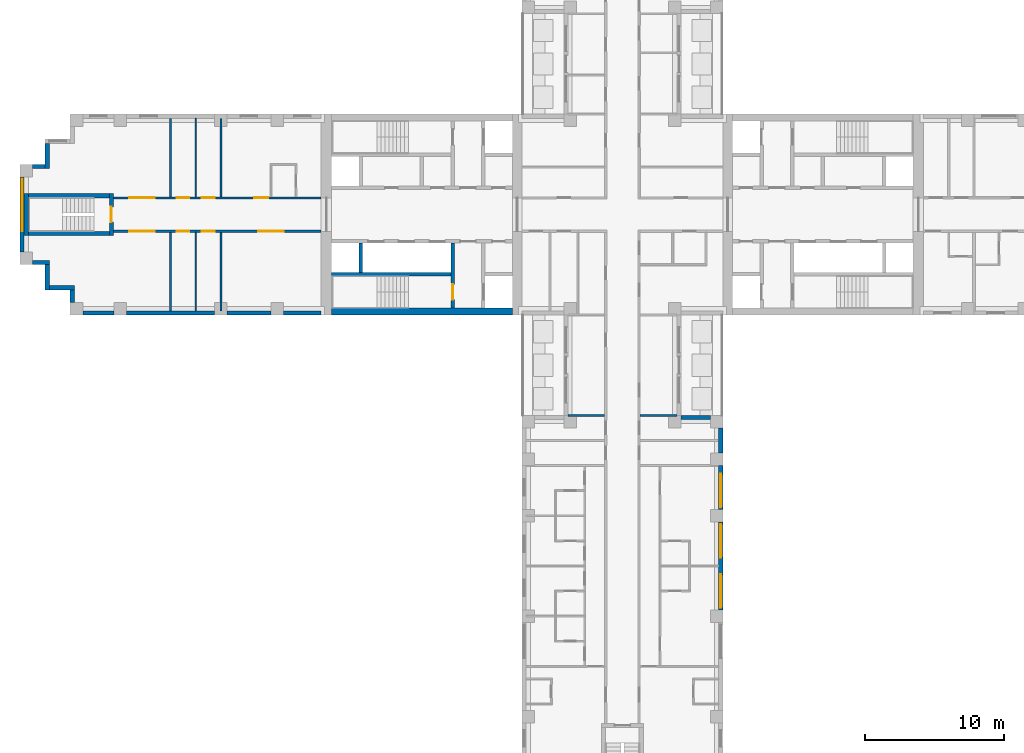
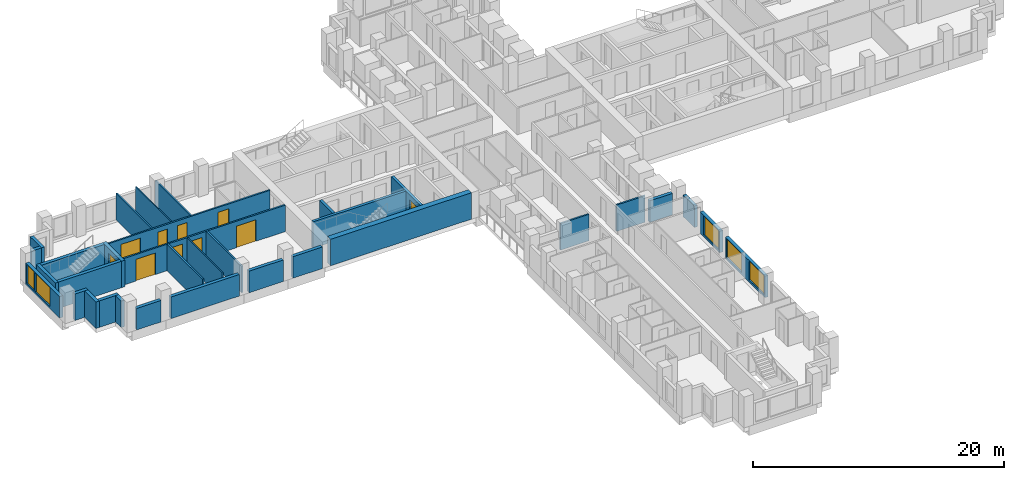
# One storey, part 5 of 13: 33 walls, 10 doors, 5 windows, 15 openings.
"""IFC4 building model written with IfcOpenShell, lengths in metres."""

import ifcopenshell
import ifcopenshell.guid

model = None  # the IFC model being written
_history = None  # IfcOwnerHistory: only IFC2X3 demands one
_inside = {}  # id of a spatial element -> (the spatial element, [elements in it])
_under = {}  # id of a project, library or spatial element -> (it, [spatial elements below it])
_declared = {}  # id of a project -> (the project, [libraries it declares])
_typed = {}  # id of a type object -> (the type object, [elements of that type])
_made_of = {}  # id of a material, layer set ... -> (it, [elements and type objects made of it])


def new_model(schema):
    """Start an empty IFC model of exactly this schema.

    Asked for "IFC4X3", IfcOpenShell would pick the latest addendum, in which some entities
    have other attributes; the version numbers below select the first issue.
    IFC2X3 requires an IfcOwnerHistory on every rooted entity: one is made here for all.
    """
    global model, _history
    if schema == "IFC4X3":
        model = ifcopenshell.file(schema_version=(4, 3, 0, 0))
    else:
        model = ifcopenshell.file(schema=schema)
    _inside.clear()
    _under.clear()
    _declared.clear()
    _typed.clear()
    _made_of.clear()
    _history = None
    if model.schema == "IFC2X3":
        org = make("IfcOrganization", Name="unknown")
        user = make(
            "IfcPersonAndOrganization",
            ThePerson=make("IfcPerson", FamilyName="unknown"),
            TheOrganization=org,
        )
        app = make(
            "IfcApplication",
            ApplicationDeveloper=org,
            Version="unknown",
            ApplicationFullName="unknown",
            ApplicationIdentifier="unknown",
        )
        _history = make(
            "IfcOwnerHistory",
            OwningUser=user,
            OwningApplication=app,
            ChangeAction="ADDED",
            CreationDate=0,
        )
    return model


def make(cls, **values):
    """One entity of the class cls with the attributes given. An attribute that is None is left unset."""
    return model.create_entity(
        cls, **{name: value for name, value in values.items() if value is not None}
    )


def rooted(cls, **values):
    """An entity with a GlobalId (a new one), such as an element, a storey or a relation."""
    return make(cls, GlobalId=ifcopenshell.guid.new(), OwnerHistory=_history, **values)


def si_unit(unit_type, name, prefix=None):
    """IfcSIUnit, for example si_unit("LENGTHUNIT", "METRE", prefix="MILLI")."""
    return make("IfcSIUnit", UnitType=unit_type, Prefix=prefix, Name=name)


def assignment(units):
    """IfcUnitAssignment: the units of a project."""
    return None if units is None else make("IfcUnitAssignment", Units=units)


def point(xyz):
    """IfcCartesianPoint."""
    return None if xyz is None else make("IfcCartesianPoint", Coordinates=xyz)


def direction(xyz):
    """IfcDirection."""
    return None if xyz is None else make("IfcDirection", DirectionRatios=xyz)


def frame(location, z_axis=None, x_axis=None):
    """IfcAxis2Placement3D, a coordinate frame: its origin and axes. An axis left out is left unset."""
    return make(
        "IfcAxis2Placement3D",
        Location=point(location),
        Axis=direction(z_axis),
        RefDirection=direction(x_axis),
    )


def frame_2d(location, x_axis=None):
    """IfcAxis2Placement2D, a coordinate frame in the plane: its origin and x axis."""
    return make(
        "IfcAxis2Placement2D", Location=point(location), RefDirection=direction(x_axis)
    )


def origin():
    """The frame at (0, 0, 0) with its axes left unset."""
    return frame((0.0, 0.0, 0.0))


def place(relative_to, where):
    """IfcLocalPlacement: puts the frame where relative to a parent placement (None: the world)."""
    return make(
        "IfcLocalPlacement", PlacementRelTo=relative_to, RelativePlacement=where
    )


def context(
    kind, dimensions, precision=None, world=None, true_north=None, identifier=None
):
    """IfcGeometricRepresentationContext, for example the 3D "Model" context."""
    return make(
        "IfcGeometricRepresentationContext",
        ContextIdentifier=identifier,
        ContextType=kind,
        CoordinateSpaceDimension=dimensions,
        Precision=precision,
        WorldCoordinateSystem=world,
        TrueNorth=true_north,
    )


def subcontext(parent, identifier, kind, view, scale=None):
    """IfcGeometricRepresentationSubContext, for example "Body" below "Model"."""
    return make(
        "IfcGeometricRepresentationSubContext",
        ContextIdentifier=identifier,
        ContextType=kind,
        ParentContext=parent,
        TargetScale=scale,
        TargetView=view,
    )


def project(units=None, contexts=None):
    """IfcProject with its units and contexts."""
    return rooted(
        "IfcProject",
        Name="project",
        RepresentationContexts=contexts,
        UnitsInContext=assignment(units),
    )


def spatial(cls, under=None, at=None, **own):
    """A site, building, storey or space (cls), placed at a placement, below another one or the project."""
    s = rooted(cls, ObjectPlacement=at, **own)
    if under is not None:
        _under.setdefault(under.id(), (under, []))[1].append(s)
    return s


def profile(cls, at=None, kind="AREA", **sizes):
    """A parametric profile (cls). Its sizes go by their IFC names, for example OverallWidth=200.0."""
    return make(cls, ProfileType=kind, Position=at, **sizes)


def rectangle(**sizes):
    """IfcRectangleProfileDef."""
    return profile("IfcRectangleProfileDef", **sizes)


def extrude(swept, where, along, depth):
    """IfcExtrudedAreaSolid: the profile swept, set in the frame where, extruded along a direction by depth."""
    return make(
        "IfcExtrudedAreaSolid",
        SweptArea=swept,
        Position=where,
        ExtrudedDirection=direction(along),
        Depth=depth,
    )


def shape(context_of_items, identifier, shape_type, items):
    """IfcShapeRepresentation: the items that make up one representation, for example the "Body"."""
    return make(
        "IfcShapeRepresentation",
        ContextOfItems=context_of_items,
        RepresentationIdentifier=identifier,
        RepresentationType=shape_type,
        Items=items,
    )


def material(Name=None, Category=None):
    """IfcMaterial."""
    return make("IfcMaterial", Name=Name, Category=Category)


def layer(
    of_material, thickness, ventilated=None, Name=None, Category=None, Priority=None
):
    """IfcMaterialLayer: one layer of a wall or slab, of a material (None: an air gap)."""
    return make(
        "IfcMaterialLayer",
        Material=of_material,
        LayerThickness=thickness,
        IsVentilated=ventilated,
        Name=Name,
        Category=Category,
        Priority=Priority,
    )


def layer_set(layers, Name=None):
    """IfcMaterialLayerSet."""
    return make("IfcMaterialLayerSet", MaterialLayers=layers, LayerSetName=Name)


def made_of(thing, what):
    """Note that an element or type object is made of a material, layer set ...; save() writes the relation."""
    if what is not None:
        _made_of.setdefault(what.id(), (what, []))[1].append(thing)
    return thing


def type_object(cls, material=None, **own):
    """A type object (cls), such as IfcWallType, which elements share."""
    return made_of(rooted(cls, **own), material)


def element(
    cls,
    number,
    at=None,
    inside=None,
    cuts=None,
    type_object=None,
    material=None,
    context=None,
    identifier="Body",
    shape_type=None,
    held_by="IfcProductDefinitionShape",
    body=None,
    shapes=None,
    **own,
):
    """One element of the class cls, such as IfcWall. Its Tag is "e" and its number.

    at: its placement. inside: the storey or other place that contains it. cuts: it is an
    opening in that element (IfcRelVoidsElement). A single representation is given by context,
    identifier, shape_type and body (its items); several are given by shapes. held_by: the class
    of the entity that holds the representations. save() writes the other relations.
    """
    e = rooted(cls, Tag="e%d" % number, ObjectPlacement=at, **own)
    if body is not None:
        shapes = [shape(context, identifier, shape_type, body)]
    if shapes is not None:
        e.Representation = make(held_by, Representations=shapes)
    if inside is not None:
        _inside.setdefault(inside.id(), (inside, []))[1].append(e)
    if cuts is not None:
        rooted(
            "IfcRelVoidsElement", RelatingBuildingElement=cuts, RelatedOpeningElement=e
        )
    if type_object is not None:
        _typed.setdefault(type_object.id(), (type_object, []))[1].append(e)
    return made_of(e, material)


def fill(opening, filler):
    """IfcRelFillsElement: the door or window that sits in an opening."""
    return rooted(
        "IfcRelFillsElement",
        RelatingOpeningElement=opening,
        RelatedBuildingElement=filler,
    )


def aggregate(whole, parts):
    """IfcRelAggregates: a whole, such as a stair, and the parts it consists of."""
    return rooted("IfcRelAggregates", RelatingObject=whole, RelatedObjects=parts)


def save(model, path):
    """Write the relations noted so far, then the file.

    IfcRelAggregates (storeys below a building ...), IfcRelContainedInSpatialStructure (elements
    in a storey), IfcRelDefinesByType, IfcRelAssociatesMaterial and IfcRelDeclares: one each for
    every whole, place, type object, material and project.
    """
    for whole, parts in _under.values():
        aggregate(whole, parts)
    for where, things in _inside.values():
        rooted(
            "IfcRelContainedInSpatialStructure",
            RelatedElements=things,
            RelatingStructure=where,
        )
    for kind, things in _typed.values():
        rooted("IfcRelDefinesByType", RelatedObjects=things, RelatingType=kind)
    for what, things in _made_of.values():
        rooted("IfcRelAssociatesMaterial", RelatedObjects=things, RelatingMaterial=what)
    for by, libraries in _declared.values():
        rooted("IfcRelDeclares", RelatingContext=by, RelatedDefinitions=libraries)
    model.write(path)


model = new_model("IFC4")

# Units and contexts
model_context = context("Model", 3, precision=1e-05, world=origin(), true_north=direction((0.0, 1.0)))
body_context = subcontext(model_context, "Body", "Model", "MODEL_VIEW")
ifc_project = project(units=[si_unit("LENGTHUNIT", "METRE"), si_unit("AREAUNIT", "SQUARE_METRE"), si_unit("VOLUMEUNIT", "CUBIC_METRE"), si_unit("PLANEANGLEUNIT", "RADIAN"), si_unit("MASSUNIT", "GRAM", prefix="KILO")], contexts=[model_context])

# Site, building, storey
site_placement = place(None, origin())
site = spatial("IfcSite", under=ifc_project, at=site_placement, CompositionType="ELEMENT")
building_placement = place(site_placement, origin())
building = spatial("IfcBuilding", under=site, at=building_placement, Name="Fustian Cross Tower", CompositionType="ELEMENT")
storey_placement = place(building_placement, frame((0.0, 0.0, 105.89990234375)))
storey = spatial("IfcBuildingStorey", under=building, at=storey_placement, Name="L33", CompositionType="ELEMENT", Elevation=105.89990234375)

# Wall, openings, doors
ifc_material_1 = material(Name="Plasterboard on steel stud", Category="steel")
ifc_layer_1 = layer(ifc_material_1, 0.14990234375)
ifc_layer_set_1 = layer_set([ifc_layer_1], Name="Plasterboard on steel stud")
wall_type_1 = type_object("IfcWallType", Name="COMPARTMENT WALL 150 EI 60", PredefinedType="PARTITIONING", material=ifc_layer_set_1)
wall_1_placement = place(storey_placement, frame((-36.5, -1.199951171875, 0.0), z_axis=(0.0, 0.0, 1.0), x_axis=(1.0, 0.0, 0.0)))
wall_1 = element("IfcWall", 1, at=wall_1_placement, inside=storey, type_object=wall_type_1, Name="Partition 1", PredefinedType="PARTITIONING", context=body_context, shape_type="SweptSolid", body=[
    extrude(rectangle(XDim=14.89990234375, YDim=0.14990234375, at=frame_2d((7.449951171875, 0.0))), origin(), (0.0, 0.0, 1.0), 2.5751953125),
])
opening_1_placement = place(wall_1_placement, frame((10.39990234375, 0.0, 0.0)))
opening_1 = element("IfcOpeningElement", 2, at=opening_1_placement, cuts=wall_1, Name="Opening D15028", PredefinedType="OPENING", context=body_context, shape_type="SweptSolid", body=[
    extrude(rectangle(XDim=1.800048828125, YDim=2.10009765625, at=frame_2d((0.89990234375, 1.050048828125))), frame((0.0, 0.0849609375, 0.0), z_axis=(0.0, -1.0, 0.0), x_axis=(1.0, 0.0, 0.0)), (0.0, 0.0, 1.0), 0.169921875),
])
opening_2_placement = place(wall_1_placement, frame((6.35009765625, 0.0, 0.0)))
opening_2 = element("IfcOpeningElement", 3, at=opening_2_placement, cuts=wall_1, Name="Opening D15029", PredefinedType="OPENING", context=body_context, shape_type="SweptSolid", body=[
    extrude(rectangle(XDim=0.89990234375, YDim=2.10009765625, at=frame_2d((0.449951171875, 1.050048828125))), frame((0.0, 0.0849609375, 0.0), z_axis=(0.0, -1.0, 0.0), x_axis=(1.0, 0.0, 0.0)), (0.0, 0.0, 1.0), 0.169921875),
])
opening_3_placement = place(wall_1_placement, frame((4.550048828125, 0.0, 0.0)))
opening_3 = element("IfcOpeningElement", 4, at=opening_3_placement, cuts=wall_1, Name="Opening D15030", PredefinedType="OPENING", context=body_context, shape_type="SweptSolid", body=[
    extrude(rectangle(XDim=0.89990234375, YDim=2.10009765625, at=frame_2d((0.449951171875, 1.050048828125))), frame((0.0, 0.0849609375, 0.0), z_axis=(0.0, -1.0, 0.0), x_axis=(1.0, 0.0, 0.0)), (0.0, 0.0, 1.0), 0.169921875),
])
opening_4_placement = place(wall_1_placement, frame((1.14990234375, 0.0, 0.0)))
opening_4 = element("IfcOpeningElement", 5, at=opening_4_placement, cuts=wall_1, Name="Opening D15031", PredefinedType="OPENING", context=body_context, shape_type="SweptSolid", body=[
    extrude(rectangle(XDim=1.800048828125, YDim=2.10009765625, at=frame_2d((0.89990234375, 1.050048828125))), frame((0.0, 0.0849609375, 0.0), z_axis=(0.0, -1.0, 0.0), x_axis=(1.0, 0.0, 0.0)), (0.0, 0.0, 1.0), 0.169921875),
])
ifc_material_2 = material(Name="Timber fire door set", Category="wood")
door_type_1 = type_object("IfcDoorType", Name="FIRE DOUBLE DOOR 1800 FD30S", OperationType="DOUBLE_DOOR_DOUBLE_SWING", PredefinedType="DOOR", material=ifc_material_2)
door_1_placement = place(opening_1_placement, origin())
door_1 = element("IfcDoor", 6, at=door_1_placement, inside=storey, type_object=door_type_1, Name="Door D15028", OperationType="DOUBLE_DOOR_DOUBLE_SWING", OverallHeight=2.10009765625, OverallWidth=1.800048828125, PredefinedType="DOOR", context=body_context, shape_type="SweptSolid", body=[
    extrude(rectangle(XDim=1.800048828125, YDim=2.10009765625, at=frame_2d((0.89990234375, 1.050048828125))), frame((0.0, 0.02490234375, 0.0), z_axis=(0.0, -1.0, 0.0), x_axis=(1.0, 0.0, 0.0)), (0.0, 0.0, 1.0), 0.050048828125),
])
fill(opening_1, door_1)
door_2_placement = place(opening_4_placement, origin())
door_2 = element("IfcDoor", 7, at=door_2_placement, inside=storey, type_object=door_type_1, Name="Door D15031", OperationType="DOUBLE_DOOR_DOUBLE_SWING", OverallHeight=2.10009765625, OverallWidth=1.800048828125, PredefinedType="DOOR", context=body_context, shape_type="SweptSolid", body=[
    extrude(rectangle(XDim=1.800048828125, YDim=2.10009765625, at=frame_2d((0.89990234375, 1.050048828125))), frame((0.0, 0.02490234375, 0.0), z_axis=(0.0, -1.0, 0.0), x_axis=(1.0, 0.0, 0.0)), (0.0, 0.0, 1.0), 0.050048828125),
])
fill(opening_4, door_2)
ifc_material_3 = material(Name="Timber fire door set", Category="wood")
door_type_2 = type_object("IfcDoorType", Name="FIRE SWING DOOR 900 FD30S", OperationType="SINGLE_SWING_LEFT", PredefinedType="DOOR", material=ifc_material_3)
door_3_placement = place(opening_2_placement, frame((0.89990234375, 0.0, 0.0), z_axis=(0.0, 0.0, 1.0), x_axis=(-1.0, 0.0, 0.0)))
door_3 = element("IfcDoor", 8, at=door_3_placement, inside=storey, type_object=door_type_2, Name="Door D15029", OperationType="SINGLE_SWING_LEFT", OverallHeight=2.10009765625, OverallWidth=0.89990234375, PredefinedType="DOOR", context=body_context, shape_type="SweptSolid", body=[
    extrude(rectangle(XDim=0.89990234375, YDim=2.10009765625, at=frame_2d((0.449951171875, 1.050048828125))), frame((0.0, 0.02490234375, 0.0), z_axis=(0.0, -1.0, 0.0), x_axis=(1.0, 0.0, 0.0)), (0.0, 0.0, 1.0), 0.050048828125),
])
fill(opening_2, door_3)
door_4_placement = place(opening_3_placement, frame((0.89990234375, 0.0, 0.0), z_axis=(0.0, 0.0, 1.0), x_axis=(-1.0, 0.0, 0.0)))
door_4 = element("IfcDoor", 9, at=door_4_placement, inside=storey, type_object=door_type_2, Name="Door D15030", OperationType="SINGLE_SWING_LEFT", OverallHeight=2.10009765625, OverallWidth=0.89990234375, PredefinedType="DOOR", context=body_context, shape_type="SweptSolid", body=[
    extrude(rectangle(XDim=0.89990234375, YDim=2.10009765625, at=frame_2d((0.449951171875, 1.050048828125))), frame((0.0, 0.02490234375, 0.0), z_axis=(0.0, -1.0, 0.0), x_axis=(1.0, 0.0, 0.0)), (0.0, 0.0, 1.0), 0.050048828125),
])
fill(opening_3, door_4)

wall_2_placement = place(storey_placement, frame((-36.5, 1.199951171875, 0.0), z_axis=(0.0, 0.0, 1.0), x_axis=(1.0, 0.0, 0.0)))
wall_2 = element("IfcWall", 10, at=wall_2_placement, inside=storey, type_object=wall_type_1, Name="Partition 2", PredefinedType="PARTITIONING", context=body_context, shape_type="SweptSolid", body=[
    extrude(rectangle(XDim=14.89990234375, YDim=0.14990234375, at=frame_2d((7.449951171875, 0.0))), origin(), (0.0, 0.0, 1.0), 2.5751953125),
])
opening_5_placement = place(wall_2_placement, frame((10.10009765625, 0.0, 0.0)))
opening_5 = element("IfcOpeningElement", 11, at=opening_5_placement, cuts=wall_2, Name="Opening D15033", PredefinedType="OPENING", context=body_context, shape_type="SweptSolid", body=[
    extrude(rectangle(XDim=1.0, YDim=2.10009765625, at=frame_2d((0.5, 1.050048828125))), frame((0.0, 0.0849609375, 0.0), z_axis=(0.0, -1.0, 0.0), x_axis=(1.0, 0.0, 0.0)), (0.0, 0.0, 1.0), 0.169921875),
])
opening_6_placement = place(wall_2_placement, frame((6.35009765625, 0.0, 0.0)))
opening_6 = element("IfcOpeningElement", 12, at=opening_6_placement, cuts=wall_2, Name="Opening D15034", PredefinedType="OPENING", context=body_context, shape_type="SweptSolid", body=[
    extrude(rectangle(XDim=0.89990234375, YDim=2.10009765625, at=frame_2d((0.449951171875, 1.050048828125))), frame((0.0, 0.0849609375, 0.0), z_axis=(0.0, -1.0, 0.0), x_axis=(1.0, 0.0, 0.0)), (0.0, 0.0, 1.0), 0.169921875),
])
opening_7_placement = place(wall_2_placement, frame((4.550048828125, 0.0, 0.0)))
opening_7 = element("IfcOpeningElement", 13, at=opening_7_placement, cuts=wall_2, Name="Opening D15035", PredefinedType="OPENING", context=body_context, shape_type="SweptSolid", body=[
    extrude(rectangle(XDim=0.89990234375, YDim=2.10009765625, at=frame_2d((0.449951171875, 1.050048828125))), frame((0.0, 0.0849609375, 0.0), z_axis=(0.0, -1.0, 0.0), x_axis=(1.0, 0.0, 0.0)), (0.0, 0.0, 1.0), 0.169921875),
])
opening_8_placement = place(wall_2_placement, frame((1.14990234375, 0.0, 0.0)))
opening_8 = element("IfcOpeningElement", 14, at=opening_8_placement, cuts=wall_2, Name="Opening D15036", PredefinedType="OPENING", context=body_context, shape_type="SweptSolid", body=[
    extrude(rectangle(XDim=1.800048828125, YDim=2.10009765625, at=frame_2d((0.89990234375, 1.050048828125))), frame((0.0, 0.0849609375, 0.0), z_axis=(0.0, -1.0, 0.0), x_axis=(1.0, 0.0, 0.0)), (0.0, 0.0, 1.0), 0.169921875),
])
door_5_placement = place(opening_8_placement, frame((1.800048828125, 0.0, 0.0), z_axis=(0.0, 0.0, 1.0), x_axis=(-1.0, 0.0, 0.0)))
door_5 = element("IfcDoor", 15, at=door_5_placement, inside=storey, type_object=door_type_1, Name="Door D15036", OperationType="DOUBLE_DOOR_DOUBLE_SWING", OverallHeight=2.10009765625, OverallWidth=1.800048828125, PredefinedType="DOOR", context=body_context, shape_type="SweptSolid", body=[
    extrude(rectangle(XDim=1.800048828125, YDim=2.10009765625, at=frame_2d((0.89990234375, 1.050048828125))), frame((0.0, 0.02490234375, 0.0), z_axis=(0.0, -1.0, 0.0), x_axis=(1.0, 0.0, 0.0)), (0.0, 0.0, 1.0), 0.050048828125),
])
fill(opening_8, door_5)
ifc_material_4 = material(Name="Timber fire door set", Category="wood")
door_type_3 = type_object("IfcDoorType", Name="FIRE SWING DOOR 1000 FD30S", OperationType="SINGLE_SWING_LEFT", PredefinedType="DOOR", material=ifc_material_4)
door_6_placement = place(opening_5_placement, origin())
door_6 = element("IfcDoor", 16, at=door_6_placement, inside=storey, type_object=door_type_3, Name="Door D15033", OperationType="SINGLE_SWING_RIGHT", OverallHeight=2.10009765625, OverallWidth=1.0, PredefinedType="DOOR", context=body_context, shape_type="SweptSolid", body=[
    extrude(rectangle(XDim=1.0, YDim=2.10009765625, at=frame_2d((0.5, 1.050048828125))), frame((0.0, 0.02490234375, 0.0), z_axis=(0.0, -1.0, 0.0), x_axis=(1.0, 0.0, 0.0)), (0.0, 0.0, 1.0), 0.050048828125),
])
fill(opening_5, door_6)
door_7_placement = place(opening_6_placement, origin())
door_7 = element("IfcDoor", 17, at=door_7_placement, inside=storey, type_object=door_type_2, Name="Door D15034", OperationType="SINGLE_SWING_RIGHT", OverallHeight=2.10009765625, OverallWidth=0.89990234375, PredefinedType="DOOR", context=body_context, shape_type="SweptSolid", body=[
    extrude(rectangle(XDim=0.89990234375, YDim=2.10009765625, at=frame_2d((0.449951171875, 1.050048828125))), frame((0.0, 0.02490234375, 0.0), z_axis=(0.0, -1.0, 0.0), x_axis=(1.0, 0.0, 0.0)), (0.0, 0.0, 1.0), 0.050048828125),
])
fill(opening_6, door_7)
door_8_placement = place(opening_7_placement, origin())
door_8 = element("IfcDoor", 18, at=door_8_placement, inside=storey, type_object=door_type_2, Name="Door D15035", OperationType="SINGLE_SWING_RIGHT", OverallHeight=2.10009765625, OverallWidth=0.89990234375, PredefinedType="DOOR", context=body_context, shape_type="SweptSolid", body=[
    extrude(rectangle(XDim=0.89990234375, YDim=2.10009765625, at=frame_2d((0.449951171875, 1.050048828125))), frame((0.0, 0.02490234375, 0.0), z_axis=(0.0, -1.0, 0.0), x_axis=(1.0, 0.0, 0.0)), (0.0, 0.0, 1.0), 0.050048828125),
])
fill(opening_7, door_8)

# Walls
for number, where, z_axis, x_axis, name in (
    (19, (-32.39990234375, -6.89990234375, 0.0), (0.0, 0.0, 1.0), (0.0, 1.0, 0.0), "Partition 3"),
    (20, (-32.39990234375, 1.27490234375, 0.0), (0.0, 0.0, 1.0), (0.0, 1.0, 0.0), "Partition 4"),
    (21, (-28.800048828125, -6.89990234375, 0.0), (0.0, 0.0, 1.0), (0.0, 1.0, 0.0), "Partition 7"),
    (22, (-28.800048828125, 1.27490234375, 0.0), (0.0, 0.0, 1.0), (0.0, 1.0, 0.0), "Partition 8"),
):
    element("IfcWall", number, at=place(storey_placement, frame(where, z_axis=z_axis, x_axis=x_axis)), inside=storey, type_object=wall_type_1, Name=name, PredefinedType="PARTITIONING", context=body_context, shape_type="SweptSolid", body=[
        extrude(rectangle(XDim=5.625, YDim=0.14990234375, at=frame_2d((2.8125, 0.0))), origin(), (0.0, 0.0, 1.0), 2.5751953125),
    ])
for number, where, z_axis, x_axis, name in (
    (23, (-3.89990234375, -14.39990234375, 0.0), (0.0, 0.0, 1.0), (1.0, 0.0, 0.0), "Partition 31"),
    (24, (1.27490234375, -14.39990234375, 0.0), (0.0, 0.0, 1.0), (1.0, 0.0, 0.0), "Partition 47"),
):
    element("IfcWall", number, at=place(storey_placement, frame(where, z_axis=z_axis, x_axis=x_axis)), inside=storey, type_object=wall_type_1, Name=name, PredefinedType="PARTITIONING", context=body_context, shape_type="SweptSolid", body=[
        extrude(rectangle(XDim=2.625, YDim=0.14990234375, at=frame_2d((1.3125, 0.0))), origin(), (0.0, 0.0, 1.0), 2.5751953125),
    ])
ifc_material_5 = material(Name="Concrete C70/85", Category="concrete")
ifc_layer_2 = layer(ifc_material_5, 0.5)
ifc_layer_set_2 = layer_set([ifc_layer_2], Name="Concrete C70/85")
wall_type_2 = type_object("IfcWallType", Name="CORE FACADE WALL 500 C70/85", PredefinedType="SHEAR", material=ifc_layer_set_2)
wall_3_placement = place(storey_placement, frame((-7.89990234375, -6.949951171875, 0.0), z_axis=(0.0, 0.0, 1.0), x_axis=(-1.0, 0.0, 0.0)))
element("IfcWall", 25, at=wall_3_placement, inside=storey, type_object=wall_type_2, Name="Core facade wall", PredefinedType="SHEAR", context=body_context, shape_type="SweptSolid", body=[
    extrude(rectangle(XDim=12.9501953125, YDim=0.5, at=frame_2d((6.47509765625, 0.0))), origin(), (0.0, 0.0, 1.0), 2.5751953125),
])
ifc_material_6 = material(Name="Concrete C50/60", Category="concrete")
ifc_layer_3 = layer(ifc_material_6, 0.25)
ifc_layer_set_3 = layer_set([ifc_layer_3], Name="Concrete C50/60")
wall_type_3 = type_object("IfcWallType", Name="CORE SHAFT WALL 250 C50/60", PredefinedType="SHEAR", material=ifc_layer_set_3)
wall_4_placement = place(storey_placement, frame((-12.300048828125, -4.27490234375, 0.0), z_axis=(0.0, 0.0, 1.0), x_axis=(-1.0, 0.0, 0.0)))
element("IfcWall", 26, at=wall_4_placement, inside=storey, type_object=wall_type_3, Name="Core shaft wall", PredefinedType="SHEAR", context=body_context, shape_type="SweptSolid", body=[
    extrude(rectangle(XDim=8.550048828125, YDim=0.25, at=frame_2d((4.27490234375, 0.0))), origin(), (0.0, 0.0, 1.0), 2.5751953125),
])

# Wall, opening, door
wall_5_placement = place(storey_placement, frame((-12.175048828125, -2.050048828125, 0.0), z_axis=(0.0, 0.0, 1.0), x_axis=(0.0, -1.0, 0.0)))
wall_5 = element("IfcWall", 27, at=wall_5_placement, inside=storey, type_object=wall_type_3, Name="Core shaft wall", PredefinedType="SHEAR", context=body_context, shape_type="SweptSolid", body=[
    extrude(rectangle(XDim=4.64990234375, YDim=0.25, at=frame_2d((2.324951171875, 0.0))), origin(), (0.0, 0.0, 1.0), 2.5751953125),
])
opening_9_placement = place(wall_5_placement, frame((2.949951171875, 0.0, 0.0)))
opening_9 = element("IfcOpeningElement", 28, at=opening_9_placement, cuts=wall_5, Name="Opening CD-10-22", PredefinedType="OPENING", context=body_context, shape_type="SweptSolid", body=[
    extrude(rectangle(XDim=1.10009765625, YDim=2.10009765625, at=frame_2d((0.550048828125, 1.050048828125))), frame((0.0, 0.135009765625, 0.0), z_axis=(0.0, -1.0, 0.0), x_axis=(1.0, 0.0, 0.0)), (0.0, 0.0, 1.0), 0.27001953125),
])
ifc_material_7 = material(Name="Steel", Category="steel")
door_type_4 = type_object("IfcDoorType", Name="FIRE DOOR FD60S 1100X2100", OperationType="SINGLE_SWING_LEFT", PredefinedType="DOOR", material=ifc_material_7)
door_9_placement = place(opening_9_placement, frame((1.10009765625, 0.0, 0.0), z_axis=(0.0, 0.0, 1.0), x_axis=(-1.0, 0.0, 0.0)))
door_9 = element("IfcDoor", 29, at=door_9_placement, inside=storey, type_object=door_type_4, Name="Core door CD-10-22", OperationType="SINGLE_SWING_RIGHT", OverallHeight=2.10009765625, OverallWidth=1.10009765625, PredefinedType="DOOR", context=body_context, shape_type="SweptSolid", body=[
    extrude(rectangle(XDim=1.10009765625, YDim=2.10009765625, at=frame_2d((0.550048828125, 1.050048828125))), frame((0.0, 0.02490234375, 0.0), z_axis=(0.0, -1.0, 0.0), x_axis=(1.0, 0.0, 0.0)), (0.0, 0.0, 1.0), 0.050048828125),
])
fill(opening_9, door_9)

# Walls
ifc_material_8 = material(Name="Plasterboard on steel stud", Category="steel")
ifc_layer_4 = layer(ifc_material_8, 0.10009765625)
ifc_layer_set_4 = layer_set([ifc_layer_4], Name="Plasterboard on steel stud")
wall_type_4 = type_object("IfcWallType", Name="PARTITION 100 STUD", PredefinedType="PARTITIONING", material=ifc_layer_set_4)
for number, where, z_axis, x_axis, name in (
    (30, (-30.60009765625, -6.89990234375, 0.0), (0.0, 0.0, 1.0), (0.0, 1.0, 0.0), "Partition 5"),
    (31, (-30.60009765625, 1.27490234375, 0.0), (0.0, 0.0, 1.0), (0.0, 1.0, 0.0), "Partition 6"),
):
    element("IfcWall", number, at=place(storey_placement, frame(where, z_axis=z_axis, x_axis=x_axis)), inside=storey, type_object=wall_type_4, Name=name, PredefinedType="PARTITIONING", context=body_context, shape_type="SweptSolid", body=[
        extrude(rectangle(XDim=5.625, YDim=0.10009765625, at=frame_2d((2.8125, 0.0))), origin(), (0.0, 0.0, 1.0), 2.5751953125),
    ])
ifc_material_9 = material(Name="Concrete C40/50", Category="concrete")
ifc_layer_5 = layer(ifc_material_9, 0.25)
ifc_layer_set_5 = layer_set([ifc_layer_5], Name="Concrete C40/50")
wall_type_5 = type_object("IfcWallType", Name="SHAFT PARTITION WALL 250 C40/50", PredefinedType="PARTITIONING", material=ifc_layer_set_5)
wall_6_placement = place(storey_placement, frame((-18.77490234375, -2.050048828125, 0.0), z_axis=(0.0, 0.0, 1.0), x_axis=(0.0, -1.0, 0.0)))
element("IfcWall", 32, at=wall_6_placement, inside=storey, type_object=wall_type_5, Name="Core shaft wall", PredefinedType="PARTITIONING", context=body_context, shape_type="SweptSolid", body=[
    extrude(rectangle(XDim=2.099853515625, YDim=0.25, at=frame_2d((1.0498046875, 0.0))), origin(), (0.0, 0.0, 1.0), 2.5751953125),
])

# Wall, opening, door
ifc_material_10 = material(Name="Concrete C50/60", Category="concrete")
ifc_layer_6 = layer(ifc_material_10, 0.300048828125)
ifc_layer_set_6 = layer_set([ifc_layer_6], Name="Concrete C50/60")
wall_type_6 = type_object("IfcWallType", Name="STAIR ENCLOSURE WALL 300 C50/60", PredefinedType="SHEAR", material=ifc_layer_set_6)
wall_7_placement = place(storey_placement, frame((-36.64990234375, -1.5, 0.0), z_axis=(0.0, 0.0, 1.0), x_axis=(0.0, 1.0, 0.0)))
wall_7 = element("IfcWall", 33, at=wall_7_placement, inside=storey, type_object=wall_type_6, Name="Stair enclosure wall", PredefinedType="SHEAR", context=body_context, shape_type="SweptSolid", body=[
    extrude(rectangle(XDim=3.0, YDim=0.300048828125, at=frame_2d((1.5, 0.0))), origin(), (0.0, 0.0, 1.0), 2.5751953125),
])
opening_10_placement = place(wall_7_placement, frame((0.949951171875, 0.0, 0.0)))
opening_10 = element("IfcOpeningElement", 34, at=opening_10_placement, cuts=wall_7, Name="Opening CD-10-33", PredefinedType="OPENING", context=body_context, shape_type="SweptSolid", body=[
    extrude(rectangle(XDim=1.10009765625, YDim=2.10009765625, at=frame_2d((0.550048828125, 1.050048828125))), frame((0.0, 0.159912109375, 0.0), z_axis=(0.0, -1.0, 0.0), x_axis=(1.0, 0.0, 0.0)), (0.0, 0.0, 1.0), 0.320068359375),
])
door_10_placement = place(opening_10_placement, origin())
door_10 = element("IfcDoor", 35, at=door_10_placement, inside=storey, type_object=door_type_4, Name="Core door CD-10-33", OperationType="SINGLE_SWING_LEFT", OverallHeight=2.10009765625, OverallWidth=1.10009765625, PredefinedType="DOOR", context=body_context, shape_type="SweptSolid", body=[
    extrude(rectangle(XDim=1.10009765625, YDim=2.10009765625, at=frame_2d((0.550048828125, 1.050048828125))), frame((0.0, 0.02490234375, 0.0), z_axis=(0.0, -1.0, 0.0), x_axis=(1.0, 0.0, 0.0)), (0.0, 0.0, 1.0), 0.050048828125),
])
fill(opening_10, door_10)

# Walls
wall_8_placement = place(storey_placement, frame((-42.75, -1.5, 0.0), z_axis=(0.0, 0.0, 1.0), x_axis=(0.0, 1.0, 0.0)))
element("IfcWall", 36, at=wall_8_placement, inside=storey, type_object=wall_type_6, Name="Stair enclosure wall", PredefinedType="SHEAR", context=body_context, shape_type="SweptSolid", body=[
    extrude(rectangle(XDim=3.0, YDim=0.300048828125, at=frame_2d((1.5, 0.0))), origin(), (0.0, 0.0, 1.0), 2.5751953125),
])
for number, where, z_axis, x_axis, name in (
    (37, (-36.800048828125, -1.35009765625, 0.0), (0.0, 0.0, 1.0), (-1.0, 0.0, 0.0), "Stair enclosure wall"),
    (38, (-36.800048828125, 1.35009765625, 0.0), (0.0, 0.0, 1.0), (-1.0, 0.0, 0.0), "Stair enclosure wall"),
):
    element("IfcWall", number, at=place(storey_placement, frame(where, z_axis=z_axis, x_axis=x_axis)), inside=storey, type_object=wall_type_6, Name=name, PredefinedType="SHEAR", context=body_context, shape_type="SweptSolid", body=[
        extrude(rectangle(XDim=5.800048828125, YDim=0.300048828125, at=frame_2d((2.89990234375, 0.0))), origin(), (0.0, 0.0, 1.0), 2.5751953125),
    ])
ifc_material_11 = material(Name="Dark aluminium cladding on insulated backing wall", Category="aluminium")
ifc_layer_7 = layer(ifc_material_11, 0.300048828125)
ifc_layer_set_7 = layer_set([ifc_layer_7], Name="Dark aluminium cladding on insulated backing wall")
wall_type_7 = type_object("IfcWallType", Name="XW1 EXTERNAL WALL 300", PredefinedType="SOLIDWALL", material=ifc_layer_set_7)
wall_9_placement = place(storey_placement, frame((-41.25, 5.10009765625, 0.0), z_axis=(0.0, 0.0, 1.0), x_axis=(0.0, -1.0, 0.0)))
element("IfcWall", 39, at=wall_9_placement, inside=storey, type_object=wall_type_7, Name="External wall", PredefinedType="SOLIDWALL", context=body_context, shape_type="SweptSolid", body=[
    extrude(rectangle(XDim=1.800048828125, YDim=0.300048828125, at=frame_2d((0.89990234375, 0.0))), origin(), (0.0, 0.0, 1.0), 2.5751953125),
])
wall_10_placement = place(storey_placement, frame((-41.39990234375, 3.449951171875, 0.0), z_axis=(0.0, 0.0, 1.0), x_axis=(-1.0, 0.0, 0.0)))
element("IfcWall", 40, at=wall_10_placement, inside=storey, type_object=wall_type_7, Name="External wall", PredefinedType="SOLIDWALL", context=body_context, shape_type="SweptSolid", body=[
    extrude(rectangle(XDim=0.900146484375, YDim=0.300048828125, at=frame_2d((0.4501953125, 0.0))), origin(), (0.0, 0.0, 1.0), 2.5751953125),
])

# Wall, openings, windows
wall_11_placement = place(storey_placement, frame((-43.050048828125, 2.699951171875, 0.0), z_axis=(0.0, 0.0, 1.0), x_axis=(0.0, -1.0, 0.0)))
wall_11 = element("IfcWall", 41, at=wall_11_placement, inside=storey, type_object=wall_type_7, Name="External wall", PredefinedType="SOLIDWALL", context=body_context, shape_type="SweptSolid", body=[
    extrude(rectangle(XDim=5.39990234375, YDim=0.300048828125, at=frame_2d((2.699951171875, 0.0))), origin(), (0.0, 0.0, 1.0), 2.10009765625),
])
opening_11_placement = place(wall_11_placement, frame((1.5, 0.0, 0.199951171875)))
opening_11 = element("IfcOpeningElement", 42, at=opening_11_placement, cuts=wall_11, Name="Opening WN1", PredefinedType="OPENING", context=body_context, shape_type="SweptSolid", body=[
    extrude(rectangle(XDim=2.39990234375, YDim=1.85009765625, at=frame_2d((1.199951171875, 0.925048828125))), frame((0.0, 0.159912109375, 0.0), z_axis=(0.0, -1.0, 0.0), x_axis=(1.0, 0.0, 0.0)), (0.0, 0.0, 1.0), 0.320068359375),
])
opening_12_placement = place(wall_11_placement, frame((0.14990234375, 0.0, 0.199951171875)))
opening_12 = element("IfcOpeningElement", 43, at=opening_12_placement, cuts=wall_11, Name="Opening WN3", PredefinedType="OPENING", context=body_context, shape_type="SweptSolid", body=[
    extrude(rectangle(XDim=1.199951171875, YDim=1.85009765625, at=frame_2d((0.60009765625, 0.925048828125))), frame((0.0, 0.159912109375, 0.0), z_axis=(0.0, -1.0, 0.0), x_axis=(1.0, 0.0, 0.0)), (0.0, 0.0, 1.0), 0.320068359375),
])
ifc_material_12 = material(Name="Dark anodised aluminium and double glazing", Category="aluminium")
window_type_1 = type_object("IfcWindowType", Name="WN1 WINDOW 2400X1850", PartitioningType="SINGLE_PANEL", PredefinedType="WINDOW", material=ifc_material_12)
window_1_placement = place(opening_11_placement, origin())
window_1 = element("IfcWindow", 44, at=window_1_placement, inside=storey, type_object=window_type_1, Name="Window", OverallHeight=1.85009765625, OverallWidth=2.39990234375, PartitioningType="SINGLE_PANEL", PredefinedType="WINDOW", context=body_context, shape_type="SweptSolid", body=[
    extrude(rectangle(XDim=2.39990234375, YDim=1.85009765625, at=frame_2d((1.199951171875, 0.925048828125))), frame((0.0, 0.030029296875, 0.0), z_axis=(0.0, -1.0, 0.0), x_axis=(1.0, 0.0, 0.0)), (0.0, 0.0, 1.0), 0.06005859375),
])
fill(opening_11, window_1)
ifc_material_13 = material(Name="Dark anodised aluminium and double glazing", Category="aluminium")
window_type_2 = type_object("IfcWindowType", Name="WN3 WINDOW 1200X1850", PartitioningType="SINGLE_PANEL", PredefinedType="WINDOW", material=ifc_material_13)
window_2_placement = place(opening_12_placement, origin())
window_2 = element("IfcWindow", 45, at=window_2_placement, inside=storey, type_object=window_type_2, Name="Window", OverallHeight=1.85009765625, OverallWidth=1.199951171875, PartitioningType="SINGLE_PANEL", PredefinedType="WINDOW", context=body_context, shape_type="SweptSolid", body=[
    extrude(rectangle(XDim=1.199951171875, YDim=1.85009765625, at=frame_2d((0.60009765625, 0.925048828125))), frame((0.0, 0.030029296875, 0.0), z_axis=(0.0, -1.0, 0.0), x_axis=(1.0, 0.0, 0.0)), (0.0, 0.0, 1.0), 0.06005859375),
])
fill(opening_12, window_2)

# Walls
wall_12_placement = place(storey_placement, frame((-42.300048828125, -3.449951171875, 0.0), z_axis=(0.0, 0.0, 1.0), x_axis=(1.0, 0.0, 0.0)))
element("IfcWall", 46, at=wall_12_placement, inside=storey, type_object=wall_type_7, Name="External wall", PredefinedType="SOLIDWALL", context=body_context, shape_type="SweptSolid", body=[
    extrude(rectangle(XDim=1.199951171875, YDim=0.300048828125, at=frame_2d((0.60009765625, 0.0))), origin(), (0.0, 0.0, 1.0), 2.5751953125),
])
wall_13_placement = place(storey_placement, frame((-41.25, -3.60009765625, 0.0), z_axis=(0.0, 0.0, 1.0), x_axis=(0.0, -1.0, 0.0)))
element("IfcWall", 47, at=wall_13_placement, inside=storey, type_object=wall_type_7, Name="External wall", PredefinedType="SOLIDWALL", context=body_context, shape_type="SweptSolid", body=[
    extrude(rectangle(XDim=1.7998046875, YDim=0.300048828125, at=frame_2d((0.89990234375, 0.0))), origin(), (0.0, 0.0, 1.0), 2.5751953125),
])
wall_14_placement = place(storey_placement, frame((-41.10009765625, -5.25, 0.0), z_axis=(0.0, 0.0, 1.0), x_axis=(1.0, 0.0, 0.0)))
element("IfcWall", 48, at=wall_14_placement, inside=storey, type_object=wall_type_7, Name="External wall", PredefinedType="SOLIDWALL", context=body_context, shape_type="SweptSolid", body=[
    extrude(rectangle(XDim=1.800048828125, YDim=0.300048828125, at=frame_2d((0.89990234375, 0.0))), origin(), (0.0, 0.0, 1.0), 2.5751953125),
])
wall_15_placement = place(storey_placement, frame((-39.449951171875, -5.39990234375, 0.0), z_axis=(0.0, 0.0, 1.0), x_axis=(0.0, -1.0, 0.0)))
element("IfcWall", 49, at=wall_15_placement, inside=storey, type_object=wall_type_7, Name="External wall", PredefinedType="SOLIDWALL", context=body_context, shape_type="SweptSolid", body=[
    extrude(rectangle(XDim=0.900146484375, YDim=0.300048828125, at=frame_2d((0.4501953125, 0.0))), origin(), (0.0, 0.0, 1.0), 2.5751953125),
])
wall_16_placement = place(storey_placement, frame((-38.699951171875, -7.050048828125, 0.0), z_axis=(0.0, 0.0, 1.0), x_axis=(1.0, 0.0, 0.0)))
element("IfcWall", 50, at=wall_16_placement, inside=storey, type_object=wall_type_7, Name="External wall", PredefinedType="SOLIDWALL", context=body_context, shape_type="SweptSolid", body=[
    extrude(rectangle(XDim=2.25, YDim=0.300048828125, at=frame_2d((1.125, 0.0))), origin(), (0.0, 0.0, 1.0), 2.10009765625),
])
wall_17_placement = place(storey_placement, frame((-35.550048828125, -7.050048828125, 0.0), z_axis=(0.0, 0.0, 1.0), x_axis=(1.0, 0.0, 0.0)))
element("IfcWall", 51, at=wall_17_placement, inside=storey, type_object=wall_type_7, Name="External wall", PredefinedType="SOLIDWALL", context=body_context, shape_type="SweptSolid", body=[
    extrude(rectangle(XDim=6.300048828125, YDim=0.300048828125, at=frame_2d((3.14990234375, 0.0))), origin(), (0.0, 0.0, 1.0), 2.10009765625),
])
wall_18_placement = place(storey_placement, frame((-28.35009765625, -7.050048828125, 0.0), z_axis=(0.0, 0.0, 1.0), x_axis=(1.0, 0.0, 0.0)))
element("IfcWall", 52, at=wall_18_placement, inside=storey, type_object=wall_type_7, Name="External wall", PredefinedType="SOLIDWALL", context=body_context, shape_type="SweptSolid", body=[
    extrude(rectangle(XDim=3.150146484375, YDim=0.300048828125, at=frame_2d((1.5751953125, 0.0))), origin(), (0.0, 0.0, 1.0), 2.10009765625),
])
wall_19_placement = place(storey_placement, frame((-24.300048828125, -7.050048828125, 0.0), z_axis=(0.0, 0.0, 1.0), x_axis=(1.0, 0.0, 0.0)))
element("IfcWall", 53, at=wall_19_placement, inside=storey, type_object=wall_type_7, Name="External wall", PredefinedType="SOLIDWALL", context=body_context, shape_type="SweptSolid", body=[
    extrude(rectangle(XDim=2.699951171875, YDim=0.300048828125, at=frame_2d((1.35009765625, 0.0))), origin(), (0.0, 0.0, 1.0), 2.10009765625),
])

# Wall, openings, windows
wall_20_placement = place(storey_placement, frame((7.050048828125, -28.35009765625, 0.0), z_axis=(0.0, 0.0, 1.0), x_axis=(0.0, 1.0, 0.0)))
wall_20 = element("IfcWall", 54, at=wall_20_placement, inside=storey, type_object=wall_type_7, Name="External wall", PredefinedType="SOLIDWALL", context=body_context, shape_type="SweptSolid", body=[
    extrude(rectangle(XDim=6.300048828125, YDim=0.300048828125, at=frame_2d((3.14990234375, 0.0))), origin(), (0.0, 0.0, 1.0), 2.10009765625),
])
opening_13_placement = place(wall_20_placement, frame((0.14990234375, 0.0, 0.199951171875)))
opening_13 = element("IfcOpeningElement", 55, at=opening_13_placement, cuts=wall_20, Name="Opening WN1", PredefinedType="OPENING", context=body_context, shape_type="SweptSolid", body=[
    extrude(rectangle(XDim=2.39990234375, YDim=1.85009765625, at=frame_2d((1.199951171875, 0.925048828125))), frame((0.0, 0.159912109375, 0.0), z_axis=(0.0, -1.0, 0.0), x_axis=(1.0, 0.0, 0.0)), (0.0, 0.0, 1.0), 0.320068359375),
])
opening_14_placement = place(wall_20_placement, frame((3.75, 0.0, 0.199951171875)))
opening_14 = element("IfcOpeningElement", 56, at=opening_14_placement, cuts=wall_20, Name="Opening WN1", PredefinedType="OPENING", context=body_context, shape_type="SweptSolid", body=[
    extrude(rectangle(XDim=2.39990234375, YDim=1.85009765625, at=frame_2d((1.199951171875, 0.925048828125))), frame((0.0, 0.159912109375, 0.0), z_axis=(0.0, -1.0, 0.0), x_axis=(1.0, 0.0, 0.0)), (0.0, 0.0, 1.0), 0.320068359375),
])
window_3_placement = place(opening_13_placement, origin())
window_3 = element("IfcWindow", 57, at=window_3_placement, inside=storey, type_object=window_type_1, Name="Window", OverallHeight=1.85009765625, OverallWidth=2.39990234375, PartitioningType="SINGLE_PANEL", PredefinedType="WINDOW", context=body_context, shape_type="SweptSolid", body=[
    extrude(rectangle(XDim=2.39990234375, YDim=1.85009765625, at=frame_2d((1.199951171875, 0.925048828125))), frame((0.0, 0.030029296875, 0.0), z_axis=(0.0, -1.0, 0.0), x_axis=(1.0, 0.0, 0.0)), (0.0, 0.0, 1.0), 0.06005859375),
])
fill(opening_13, window_3)
window_4_placement = place(opening_14_placement, origin())
window_4 = element("IfcWindow", 58, at=window_4_placement, inside=storey, type_object=window_type_1, Name="Window", OverallHeight=1.85009765625, OverallWidth=2.39990234375, PartitioningType="SINGLE_PANEL", PredefinedType="WINDOW", context=body_context, shape_type="SweptSolid", body=[
    extrude(rectangle(XDim=2.39990234375, YDim=1.85009765625, at=frame_2d((1.199951171875, 0.925048828125))), frame((0.0, 0.030029296875, 0.0), z_axis=(0.0, -1.0, 0.0), x_axis=(1.0, 0.0, 0.0)), (0.0, 0.0, 1.0), 0.06005859375),
])
fill(opening_14, window_4)

# Wall, opening, window
wall_21_placement = place(storey_placement, frame((7.050048828125, -21.14990234375, 0.0), z_axis=(0.0, 0.0, 1.0), x_axis=(0.0, 1.0, 0.0)))
wall_21 = element("IfcWall", 59, at=wall_21_placement, inside=storey, type_object=wall_type_7, Name="External wall", PredefinedType="SOLIDWALL", context=body_context, shape_type="SweptSolid", body=[
    extrude(rectangle(XDim=3.14990234375, YDim=0.300048828125, at=frame_2d((1.574951171875, 0.0))), origin(), (0.0, 0.0, 1.0), 2.10009765625),
])
opening_15_placement = place(wall_21_placement, frame((0.14990234375, 0.0, 0.199951171875)))
opening_15 = element("IfcOpeningElement", 60, at=opening_15_placement, cuts=wall_21, Name="Opening WN1", PredefinedType="OPENING", context=body_context, shape_type="SweptSolid", body=[
    extrude(rectangle(XDim=2.39990234375, YDim=1.85009765625, at=frame_2d((1.199951171875, 0.925048828125))), frame((0.0, 0.159912109375, 0.0), z_axis=(0.0, -1.0, 0.0), x_axis=(1.0, 0.0, 0.0)), (0.0, 0.0, 1.0), 0.320068359375),
])
window_5_placement = place(opening_15_placement, origin())
window_5 = element("IfcWindow", 61, at=window_5_placement, inside=storey, type_object=window_type_1, Name="Window", OverallHeight=1.85009765625, OverallWidth=2.39990234375, PartitioningType="SINGLE_PANEL", PredefinedType="WINDOW", context=body_context, shape_type="SweptSolid", body=[
    extrude(rectangle(XDim=2.39990234375, YDim=1.85009765625, at=frame_2d((1.199951171875, 0.925048828125))), frame((0.0, 0.030029296875, 0.0), z_axis=(0.0, -1.0, 0.0), x_axis=(1.0, 0.0, 0.0)), (0.0, 0.0, 1.0), 0.06005859375),
])
fill(opening_15, window_5)

# Walls
wall_22_placement = place(storey_placement, frame((7.050048828125, -17.10009765625, 0.0), z_axis=(0.0, 0.0, 1.0), x_axis=(0.0, 1.0, 0.0)))
element("IfcWall", 62, at=wall_22_placement, inside=storey, type_object=wall_type_7, Name="External wall", PredefinedType="SOLIDWALL", context=body_context, shape_type="SweptSolid", body=[
    extrude(rectangle(XDim=1.800048828125, YDim=0.300048828125, at=frame_2d((0.89990234375, 0.0))), origin(), (0.0, 0.0, 1.0), 2.10009765625),
])
wall_23_placement = place(storey_placement, frame((6.300048828125, -14.550048828125, 0.0), z_axis=(0.0, 0.0, 1.0), x_axis=(-1.0, 0.0, 0.0)))
element("IfcWall", 63, at=wall_23_placement, inside=storey, type_object=wall_type_7, Name="External wall", PredefinedType="SOLIDWALL", context=body_context, shape_type="SweptSolid", body=[
    extrude(rectangle(XDim=2.10009765625, YDim=0.300048828125, at=frame_2d((1.050048828125, 0.0))), origin(), (0.0, 0.0, 1.0), 2.10009765625),
])

save(model, "model.ifc")
